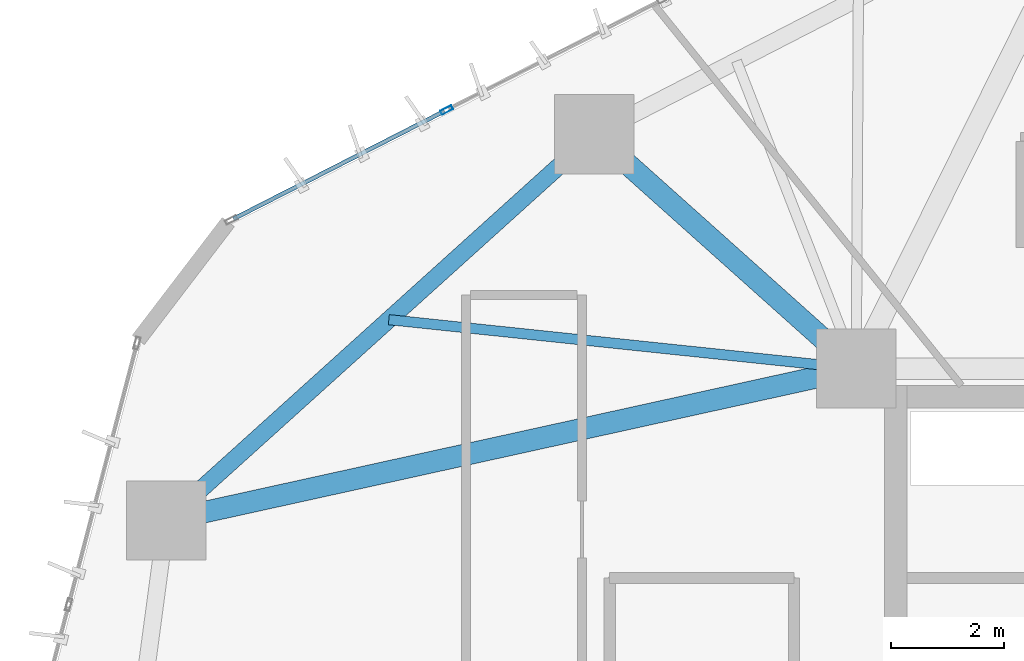
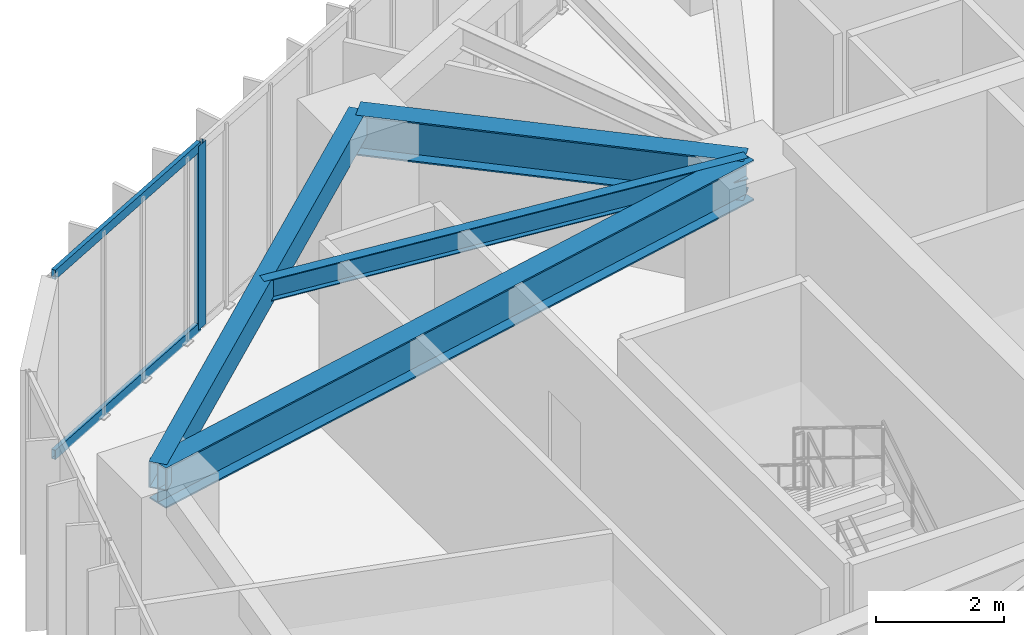
# One storey, part 8 of 24: 4 beams, 3 members, 1 element without a shape of its own.
"""IFC4 building model written with IfcOpenShell, lengths in metres."""

from ifc_helpers import new_model, si_unit, direction, frame, origin, origin_2d, place, context, subcontext, project, spatial, hollow_rectangle, i_section, extrude, source, transform, mapped, material, layer, layer_set, material_profile, profile_set, type_object, type_shapes, element, aggregate, save


model = new_model("IFC4")

# Units and contexts
model_context = context("Model", 3, precision=1e-05, world=origin(), true_north=direction((0.0, 1.0)))
body_context = subcontext(model_context, "Body", "Model", "MODEL_VIEW")
ifc_project = project(units=[si_unit("LENGTHUNIT", "METRE"), si_unit("AREAUNIT", "SQUARE_METRE"), si_unit("VOLUMEUNIT", "CUBIC_METRE"), si_unit("PLANEANGLEUNIT", "RADIAN"), si_unit("MASSUNIT", "GRAM", prefix="KILO")], contexts=[model_context])

# Site, building, storey
site_placement = place(None, origin())
site = spatial("IfcSite", under=ifc_project, at=site_placement, CompositionType="ELEMENT")
building_placement = place(site_placement, origin())
building = spatial("IfcBuilding", under=site, at=building_placement, Name="Talar Marvaseh", CompositionType="ELEMENT")
storey_placement = place(building_placement, frame((0.0, 0.0, 39.199951171875)))
storey = spatial("IfcBuildingStorey", under=building, at=storey_placement, Name="L09", CompositionType="ELEMENT", Elevation=39.199951171875)

# Beams
ifc_material_1 = material(Name="Steel S355", Category="steel")
ifc_material_profile_1 = material_profile(ifc_material_1, hollow_rectangle(XDim=0.300048828125, YDim=0.5, WallThickness=0.02001953125, at=origin_2d()), Name="RHS500x300x20")
ifc_profile_set_1 = profile_set([ifc_material_profile_1], Name="Steel S355")
beam_type_1 = type_object("IfcBeamType", Name="Zone 1 Perimeter Spandrel Beam RHS500x300x20", PredefinedType="SPANDREL", material=ifc_profile_set_1)
beam_1_placement = place(storey_placement, frame((6.501953125, 34.214111328125, 3.27001953125), z_axis=(0.742394279812, 0.669963232799, 0.0), x_axis=(-0.669963232799, 0.742394279812, 0.0)))
element("IfcBeam", 1, at=beam_1_placement, inside=storey, type_object=beam_type_1, Name="L09 Zone 1 Perimeter Spandrel Beam RHS500x300x20", PredefinedType="SPANDREL", context=body_context, shape_type="SweptSolid", body=[
    extrude(hollow_rectangle(XDim=0.300048828125, YDim=0.5, WallThickness=0.02001953125, at=origin_2d()), origin(), (0.0, 0.0, 1.0), 10.19287109375),
])
ifc_material_profile_2 = material_profile(ifc_material_1, i_section(OverallWidth=0.381103515625, OverallDepth=0.77294921875, WebThickness=0.0166015625, FlangeThickness=0.027099609375, at=origin_2d()), Name="W760x257")
ifc_profile_set_2 = profile_set([ifc_material_profile_2], Name="Steel S355")
beam_type_2 = type_object("IfcBeamType", Name="Zone 1 Radial Floor Girder W760x257", PredefinedType="BEAM", material=ifc_profile_set_2)
beam_2_placement = place(storey_placement, frame((6.501953125, 34.214111328125, 3.133544921875), z_axis=(0.976606962034, 0.215032187606, 0.0), x_axis=(-0.215032187606, 0.976606962034, 0.0)))
element("IfcBeam", 2, at=beam_2_placement, inside=storey, type_object=beam_type_2, Name="L09 Zone 1 Radial Floor Girder W760x257", PredefinedType="BEAM", context=body_context, shape_type="SweptSolid", body=[
    extrude(i_section(OverallWidth=0.381103515625, OverallDepth=0.77294921875, WebThickness=0.0166015625, FlangeThickness=0.027099609375, at=origin_2d()), origin(), (0.0, 0.0, 1.0), 12.490234375),
])
beam_3_placement = place(storey_placement, frame((14.069091796875, 41.04296875, 3.133544921875), z_axis=(0.745268030676, -0.666764997921, 0.0), x_axis=(0.666764997921, 0.745268030676, 0.0)))
element("IfcBeam", 3, at=beam_3_placement, inside=storey, type_object=beam_type_2, Name="L09 Zone 1 Radial Floor Girder W760x257", PredefinedType="BEAM", context=body_context, shape_type="SweptSolid", body=[
    extrude(i_section(OverallWidth=0.381103515625, OverallDepth=0.77294921875, WebThickness=0.0166015625, FlangeThickness=0.027099609375, at=origin_2d()), origin(), (0.0, 0.0, 1.0), 6.213623046875),
])
ifc_material_profile_3 = material_profile(ifc_material_1, i_section(OverallWidth=0.179931640625, OverallDepth=0.4130859375, WebThickness=0.009765625, FlangeThickness=0.01611328125, at=origin_2d()), Name="W410x75")
ifc_profile_set_3 = profile_set([ifc_material_profile_3], Name="Steel S355")
beam_type_3 = type_object("IfcBeamType", Name="Zone 1 Secondary Floor Joist W410x75", PredefinedType="JOIST", material=ifc_profile_set_3)
beam_4_placement = place(storey_placement, frame((10.436767578125, 37.76513671875, 3.3134765625), z_axis=(0.994562624593, -0.104140221638, 0.0), x_axis=(0.104140221638, 0.994562624593, 0.0)))
element("IfcBeam", 4, at=beam_4_placement, inside=storey, type_object=beam_type_3, Name="L09 Zone 1 Secondary Floor Joist W410x75", PredefinedType="JOIST", context=body_context, shape_type="SweptSolid", body=[
    extrude(i_section(OverallWidth=0.179931640625, OverallDepth=0.4130859375, WebThickness=0.009765625, FlangeThickness=0.01611328125, at=origin_2d()), origin(), (0.0, 0.0, 1.0), 8.308349609375),
])

# Curtain wall, members
ifc_material_2 = material(Name="Architectural Aluminium", Category="aluminium")
ifc_layer = layer(ifc_material_2, 0.219970703125)
ifc_layer_set = layer_set([ifc_layer], Name="Architectural Aluminium")
curtain_wall_type = type_object("IfcCurtainWallType", Name="Unitised Low-E Museum Curtain Wall Z1", PredefinedType="NOTDEFINED", material=ifc_layer_set)
curtain_wall_placement = place(storey_placement, origin())
curtain_wall = element("IfcCurtainWall", 5, at=curtain_wall_placement, inside=storey, type_object=curtain_wall_type, Name="L09 Unitised Low-E Museum Curtain Wall Z1", PredefinedType="NOTDEFINED")
ifc_material_profile_4 = material_profile(ifc_material_2, hollow_rectangle(XDim=0.080078125, YDim=0.219970703125, WallThickness=0.0048828125, at=origin_2d()), Name="RHS220x80x5")
ifc_profile_set_4 = profile_set([ifc_material_profile_4], Name="Architectural Aluminium")
member_type_1 = type_object("IfcMemberType", Name="Unitised Curtain Wall Heavy Mullion RHS220x80x5", PredefinedType="MULLION", material=ifc_profile_set_4)
shared_shape_1 = source(origin(), body_context, "Body", "SweptSolid", [
    extrude(hollow_rectangle(XDim=0.080078125, YDim=0.219970703125, WallThickness=0.0048828125, at=origin_2d()), origin(), (0.0, 0.0, 1.0), 3.52001953125),
])
type_shapes(member_type_1, [shared_shape_1])
member_1_placement = place(storey_placement, frame((11.45849609375, 41.471435546875, 0.0), z_axis=(0.0, 0.0, 1.0), x_axis=(-0.455044452732, 0.890468722661, 0.0)))
member_1 = element("IfcMember", 6, at=member_1_placement, type_object=member_type_1, Name="CW-Z1 mullion 2", PredefinedType="MULLION", context=body_context, shape_type="MappedRepresentation", body=[
    mapped(shared_shape_1, transform((0.0, 0.0, 0.0), x_axis=(1.0, 0.0, 0.0), y_axis=(0.0, 1.0, 0.0), z_axis=(0.0, 0.0, 1.0), scale=1.0)),
])
ifc_material_profile_5 = material_profile(ifc_material_2, hollow_rectangle(XDim=0.074951171875, YDim=0.179931640625, WallThickness=0.0048828125, at=origin_2d()), Name="RHS180x75x5")
ifc_profile_set_5 = profile_set([ifc_material_profile_5], Name="Architectural Aluminium")
member_type_2 = type_object("IfcMemberType", Name="Unitised Curtain Wall Transom RHS180x75x5", PredefinedType="USERDEFINED", material=ifc_profile_set_5)
shared_shape_2 = source(origin(), body_context, "Body", "SweptSolid", [
    extrude(hollow_rectangle(XDim=0.074951171875, YDim=0.179931640625, WallThickness=0.0048828125, at=origin_2d()), origin(), (0.0, 0.0, 1.0), 4.192138671875),
])
type_shapes(member_type_2, [shared_shape_2])
member_2_placement = place(storey_placement, frame((7.68994140625, 39.545654296875, 0.03759765625), z_axis=(0.890479258143, 0.455023835439, 0.0), x_axis=(-0.455023835439, 0.890479258143, 0.0)))
member_2 = element("IfcMember", 7, at=member_2_placement, type_object=member_type_2, Name="CW-Z1 transom 1.1", ObjectType="TRANSOM", PredefinedType="USERDEFINED", context=body_context, shape_type="MappedRepresentation", body=[
    mapped(shared_shape_2, transform((0.0, 0.0, 0.0), x_axis=(1.0, 0.0, 0.0), y_axis=(0.0, 1.0, 0.0), z_axis=(0.0, 0.0, 1.0), scale=1.0)),
])
member_3_placement = place(storey_placement, frame((7.68994140625, 39.545654296875, 3.482666015625), z_axis=(0.890479258143, 0.455023835439, 0.0), x_axis=(-0.455023835439, 0.890479258143, 0.0)))
member_3 = element("IfcMember", 8, at=member_3_placement, type_object=member_type_2, Name="CW-Z1 transom 1.2", ObjectType="TRANSOM", PredefinedType="USERDEFINED", context=body_context, shape_type="MappedRepresentation", body=[
    mapped(shared_shape_2, transform((0.0, 0.0, 0.0), x_axis=(1.0, 0.0, 0.0), y_axis=(0.0, 1.0, 0.0), z_axis=(0.0, 0.0, 1.0), scale=1.0)),
])
aggregate(curtain_wall, [member_1, member_2, member_3])

save(model, "model.ifc")
